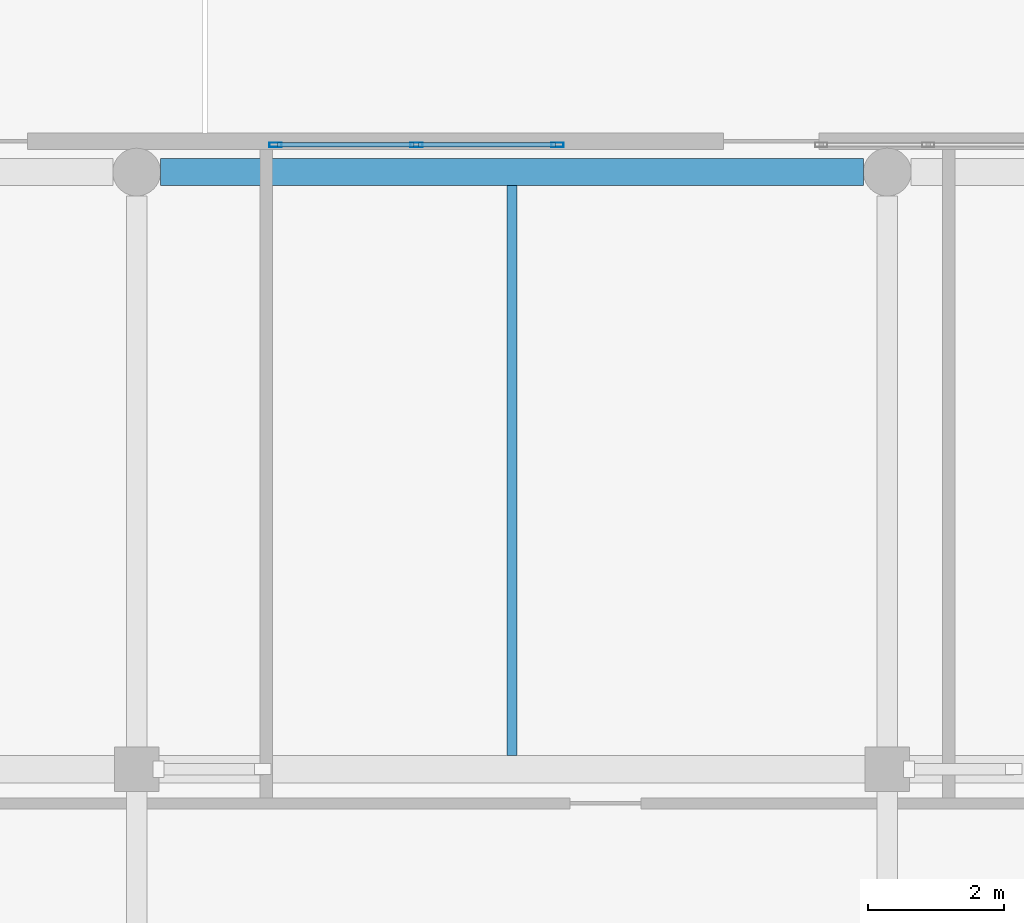
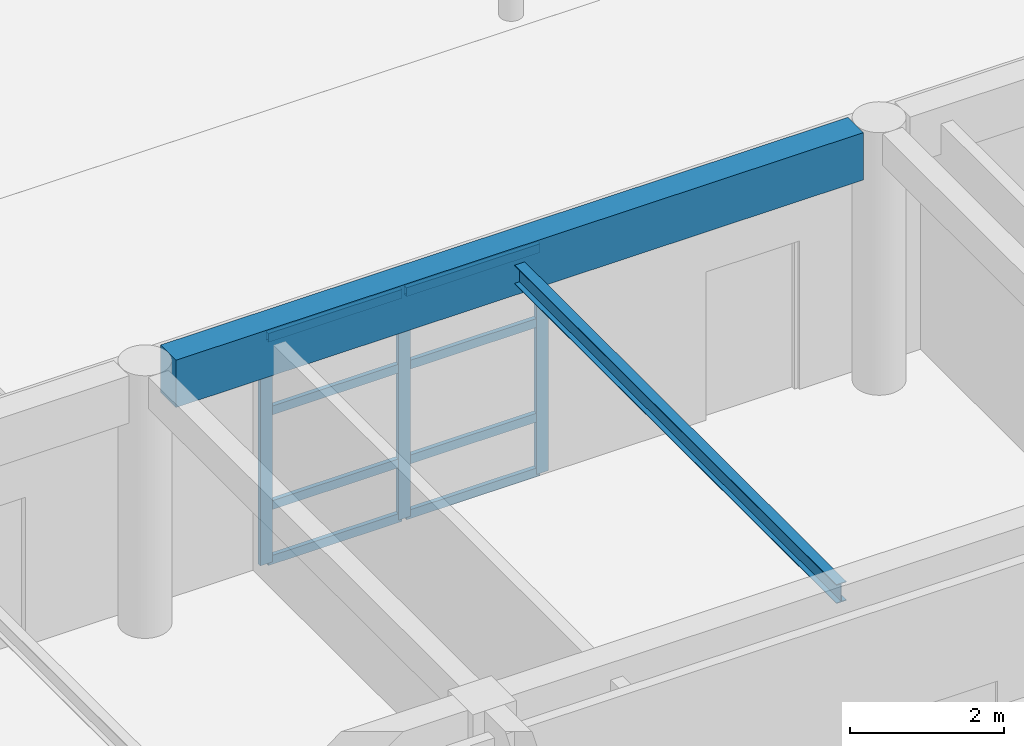
# One storey, part 44 of 114: 11 members, 2 beams, 1 element without a shape of its own.
"""IFC4 building model written with IfcOpenShell, lengths in metres."""

from ifc_helpers import new_model, si_unit, direction, frame, origin, origin_2d, place, context, subcontext, project, spatial, rectangle, hollow_rectangle, i_section, extrude, material, layer, layer_set, material_profile, profile_set, type_object, element, aggregate, save


model = new_model("IFC4")

# Units and contexts
model_context = context("Model", 3, precision=1e-05, world=origin(), true_north=direction((0.0, 1.0)))
body_context = subcontext(model_context, "Body", "Model", "MODEL_VIEW")
ifc_project = project(units=[si_unit("LENGTHUNIT", "METRE"), si_unit("AREAUNIT", "SQUARE_METRE"), si_unit("VOLUMEUNIT", "CUBIC_METRE"), si_unit("PLANEANGLEUNIT", "RADIAN"), si_unit("MASSUNIT", "GRAM", prefix="KILO")], contexts=[model_context])

# Site, building, storey
site_placement = place(None, origin())
site = spatial("IfcSite", under=ifc_project, at=site_placement, CompositionType="ELEMENT")
building_placement = place(site_placement, origin())
building = spatial("IfcBuilding", under=site, at=building_placement, Name="Keldmere Railside Commons", CompositionType="ELEMENT")
storey_placement = place(building_placement, origin())
storey = spatial("IfcBuildingStorey", under=building, at=storey_placement, Name="L00", CompositionType="ELEMENT", Elevation=0.0)

# Beam
ifc_material_1 = material(Name="Concrete H-35 (C35/45)", Category="concrete")
ifc_material_profile_1 = material_profile(ifc_material_1, rectangle(XDim=0.39990234375, YDim=0.75, at=origin_2d()), Name="RC-400x750")
ifc_profile_set_1 = profile_set([ifc_material_profile_1], Name="Concrete H-35 (C35/45)")
beam_type_1 = type_object("IfcBeamType", Name="Civic Frame RC Girder 400x750", PredefinedType="BEAM", material=ifc_profile_set_1)
beam_1_placement = place(storey_placement, frame((137.35009765625, 39.550048828125, 3.784912109375), z_axis=(1.0, 0.0, 0.0), x_axis=(0.0, 1.0, 0.0)))
element("IfcBeam", 1, at=beam_1_placement, inside=storey, type_object=beam_type_1, Name="BG-2 BM-L00-0454", PredefinedType="BEAM", context=body_context, shape_type="SweptSolid", body=[
    extrude(rectangle(XDim=0.39990234375, YDim=0.75, at=origin_2d()), origin(), (0.0, 0.0, 1.0), 10.2998046875),
])

# Curtain wall, members
ifc_material_2 = material(Name="Thermally Broken Aluminium", Category="aluminium")
ifc_layer = layer(ifc_material_2, 0.159912109375, Name="Market Arcade Corner Shopfront CW 4200x3600")
ifc_layer_set = layer_set([ifc_layer], Name="Thermally Broken Aluminium")
curtain_wall_type = type_object("IfcCurtainWallType", Name="Market Arcade Corner Shopfront CW 4200x3600", PredefinedType="NOTDEFINED", material=ifc_layer_set)
curtain_wall_placement = place(storey_placement, origin())
curtain_wall = element("IfcCurtainWall", 2, at=curtain_wall_placement, inside=storey, type_object=curtain_wall_type, Name="CW-02 CW-L00-214", PredefinedType="NOTDEFINED")
ifc_material_profile_2 = material_profile(ifc_material_2, hollow_rectangle(XDim=0.06494140625, YDim=0.179931640625, WallThickness=0.00390625, at=origin_2d()), Name="ALU-MULL-65x180")
ifc_profile_set_2 = profile_set([ifc_material_profile_2], Name="Thermally Broken Aluminium")
member_type_1 = type_object("IfcMemberType", Name="Civic Tall Curtain Wall Mullion 65x180", PredefinedType="MULLION", material=ifc_profile_set_2)
member_1_placement = place(storey_placement, frame((139.032470703125, 39.949951171875, 0.0), z_axis=(0.0, 0.0, 1.0), x_axis=(0.0, 1.0, 0.0)))
member_1 = element("IfcMember", 3, at=member_1_placement, type_object=member_type_1, Name="CW-02 mullion 1", PredefinedType="MULLION", context=body_context, shape_type="SweptSolid", body=[
    extrude(hollow_rectangle(XDim=0.06494140625, YDim=0.179931640625, WallThickness=0.00390625, at=origin_2d()), origin(), (0.0, 0.0, 1.0), 3.60009765625),
])
member_2_placement = place(storey_placement, frame((141.10009765625, 39.949951171875, 0.0), z_axis=(0.0, 0.0, 1.0), x_axis=(0.0, 1.0, 0.0)))
member_2 = element("IfcMember", 4, at=member_2_placement, type_object=member_type_1, Name="CW-02 mullion 2", PredefinedType="MULLION", context=body_context, shape_type="SweptSolid", body=[
    extrude(hollow_rectangle(XDim=0.06494140625, YDim=0.179931640625, WallThickness=0.00390625, at=origin_2d()), origin(), (0.0, 0.0, 1.0), 3.60009765625),
])
member_3_placement = place(storey_placement, frame((143.16748046875, 39.949951171875, 0.0), z_axis=(0.0, 0.0, 1.0), x_axis=(0.0, 1.0, 0.0)))
member_3 = element("IfcMember", 5, at=member_3_placement, type_object=member_type_1, Name="CW-02 mullion 3", PredefinedType="MULLION", context=body_context, shape_type="SweptSolid", body=[
    extrude(hollow_rectangle(XDim=0.06494140625, YDim=0.179931640625, WallThickness=0.00390625, at=origin_2d()), origin(), (0.0, 0.0, 1.0), 3.60009765625),
])
ifc_material_profile_3 = material_profile(ifc_material_2, hollow_rectangle(XDim=0.06494140625, YDim=0.139892578125, WallThickness=0.00390625, at=origin_2d()), Name="ALU-TRAN-65x140")
ifc_profile_set_3 = profile_set([ifc_material_profile_3], Name="Thermally Broken Aluminium")
member_type_2 = type_object("IfcMemberType", Name="Civic Tall Curtain Wall Transom 65x140", PredefinedType="USERDEFINED", material=ifc_profile_set_3)
member_4_placement = place(storey_placement, frame((139.06494140625, 39.949951171875, 0.032470703125), z_axis=(1.0, 0.0, 0.0), x_axis=(0.0, 1.0, 0.0)))
member_4 = element("IfcMember", 6, at=member_4_placement, type_object=member_type_2, Name="CW-02 transom 1.1", ObjectType="TRANSOM", PredefinedType="USERDEFINED", context=body_context, shape_type="SweptSolid", body=[
    extrude(hollow_rectangle(XDim=0.06494140625, YDim=0.139892578125, WallThickness=0.00390625, at=origin_2d()), origin(), (0.0, 0.0, 1.0), 2.00244140625),
])
member_5_placement = place(storey_placement, frame((139.06494140625, 39.949951171875, 0.89990234375), z_axis=(1.0, 0.0, 0.0), x_axis=(0.0, 1.0, 0.0)))
member_5 = element("IfcMember", 7, at=member_5_placement, type_object=member_type_2, Name="CW-02 transom 1.2", ObjectType="TRANSOM", PredefinedType="USERDEFINED", context=body_context, shape_type="SweptSolid", body=[
    extrude(hollow_rectangle(XDim=0.06494140625, YDim=0.139892578125, WallThickness=0.00390625, at=origin_2d()), origin(), (0.0, 0.0, 1.0), 2.00244140625),
])
member_6_placement = place(storey_placement, frame((139.06494140625, 39.949951171875, 2.39990234375), z_axis=(1.0, 0.0, 0.0), x_axis=(0.0, 1.0, 0.0)))
member_6 = element("IfcMember", 8, at=member_6_placement, type_object=member_type_2, Name="CW-02 transom 1.3", ObjectType="TRANSOM", PredefinedType="USERDEFINED", context=body_context, shape_type="SweptSolid", body=[
    extrude(hollow_rectangle(XDim=0.06494140625, YDim=0.139892578125, WallThickness=0.00390625, at=origin_2d()), origin(), (0.0, 0.0, 1.0), 2.00244140625),
])
member_7_placement = place(storey_placement, frame((139.06494140625, 39.949951171875, 3.5673828125), z_axis=(1.0, 0.0, 0.0), x_axis=(0.0, 1.0, 0.0)))
member_7 = element("IfcMember", 9, at=member_7_placement, type_object=member_type_2, Name="CW-02 transom 1.4", ObjectType="TRANSOM", PredefinedType="USERDEFINED", context=body_context, shape_type="SweptSolid", body=[
    extrude(hollow_rectangle(XDim=0.06494140625, YDim=0.139892578125, WallThickness=0.00390625, at=origin_2d()), origin(), (0.0, 0.0, 1.0), 2.00244140625),
])
member_8_placement = place(storey_placement, frame((141.132568359375, 39.949951171875, 0.032470703125), z_axis=(1.0, 0.0, 0.0), x_axis=(0.0, 1.0, 0.0)))
member_8 = element("IfcMember", 10, at=member_8_placement, type_object=member_type_2, Name="CW-02 transom 2.1", ObjectType="TRANSOM", PredefinedType="USERDEFINED", context=body_context, shape_type="SweptSolid", body=[
    extrude(hollow_rectangle(XDim=0.06494140625, YDim=0.139892578125, WallThickness=0.00390625, at=origin_2d()), origin(), (0.0, 0.0, 1.0), 2.00244140625),
])
member_9_placement = place(storey_placement, frame((141.132568359375, 39.949951171875, 0.89990234375), z_axis=(1.0, 0.0, 0.0), x_axis=(0.0, 1.0, 0.0)))
member_9 = element("IfcMember", 11, at=member_9_placement, type_object=member_type_2, Name="CW-02 transom 2.2", ObjectType="TRANSOM", PredefinedType="USERDEFINED", context=body_context, shape_type="SweptSolid", body=[
    extrude(hollow_rectangle(XDim=0.06494140625, YDim=0.139892578125, WallThickness=0.00390625, at=origin_2d()), origin(), (0.0, 0.0, 1.0), 2.00244140625),
])
member_10_placement = place(storey_placement, frame((141.132568359375, 39.949951171875, 2.39990234375), z_axis=(1.0, 0.0, 0.0), x_axis=(0.0, 1.0, 0.0)))
member_10 = element("IfcMember", 12, at=member_10_placement, type_object=member_type_2, Name="CW-02 transom 2.3", ObjectType="TRANSOM", PredefinedType="USERDEFINED", context=body_context, shape_type="SweptSolid", body=[
    extrude(hollow_rectangle(XDim=0.06494140625, YDim=0.139892578125, WallThickness=0.00390625, at=origin_2d()), origin(), (0.0, 0.0, 1.0), 2.00244140625),
])
member_11_placement = place(storey_placement, frame((141.132568359375, 39.949951171875, 3.5673828125), z_axis=(1.0, 0.0, 0.0), x_axis=(0.0, 1.0, 0.0)))
member_11 = element("IfcMember", 13, at=member_11_placement, type_object=member_type_2, Name="CW-02 transom 2.4", ObjectType="TRANSOM", PredefinedType="USERDEFINED", context=body_context, shape_type="SweptSolid", body=[
    extrude(hollow_rectangle(XDim=0.06494140625, YDim=0.139892578125, WallThickness=0.00390625, at=origin_2d()), origin(), (0.0, 0.0, 1.0), 2.00244140625),
])
aggregate(curtain_wall, [member_1, member_2, member_3, member_4, member_5, member_6, member_7, member_8, member_9, member_10, member_11])

# Beam
ifc_material_3 = material(Name="Steel F-36 (S355)", Category="steel")
ifc_material_profile_4 = material_profile(ifc_material_3, i_section(OverallWidth=0.14990234375, OverallDepth=0.300048828125, WebThickness=0.007080078125, FlangeThickness=0.0107421875, at=origin_2d()), Name="IPE-300")
ifc_profile_set_4 = profile_set([ifc_material_profile_4], Name="Steel F-36 (S355)")
beam_type_2 = type_object("IfcBeamType", Name="Podium & Arcade Steel Joist IPE300", PredefinedType="JOIST", material=ifc_profile_set_4)
beam_2_placement = place(storey_placement, frame((142.5, 31.0, 3.739990234375), z_axis=(0.0, 1.0, 0.0), x_axis=(-1.0, 0.0, 0.0)))
element("IfcBeam", 14, at=beam_2_placement, inside=storey, type_object=beam_type_2, Name="JST-1 BM-L00-0687", PredefinedType="JOIST", context=body_context, shape_type="SweptSolid", body=[
    extrude(i_section(OverallWidth=0.14990234375, OverallDepth=0.300048828125, WebThickness=0.007080078125, FlangeThickness=0.0107421875, at=origin_2d()), origin(), (0.0, 0.0, 1.0), 8.35009765625),
])

save(model, "model.ifc")
